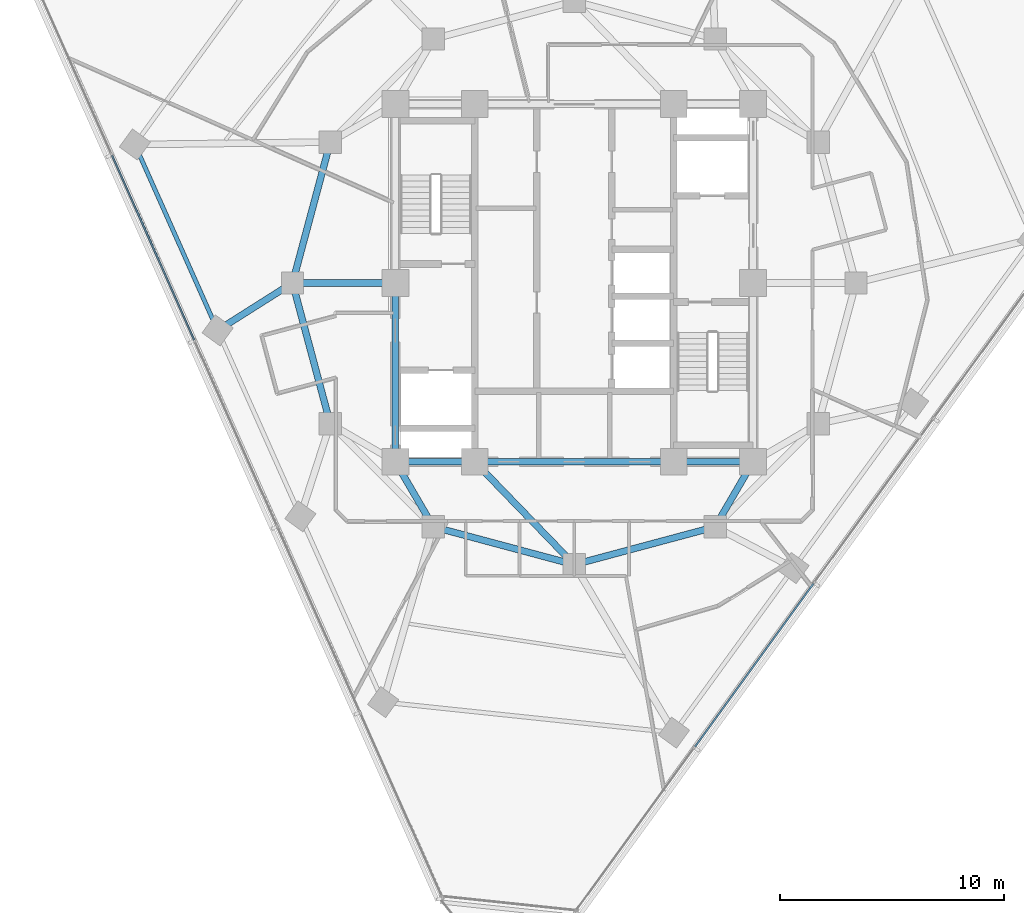
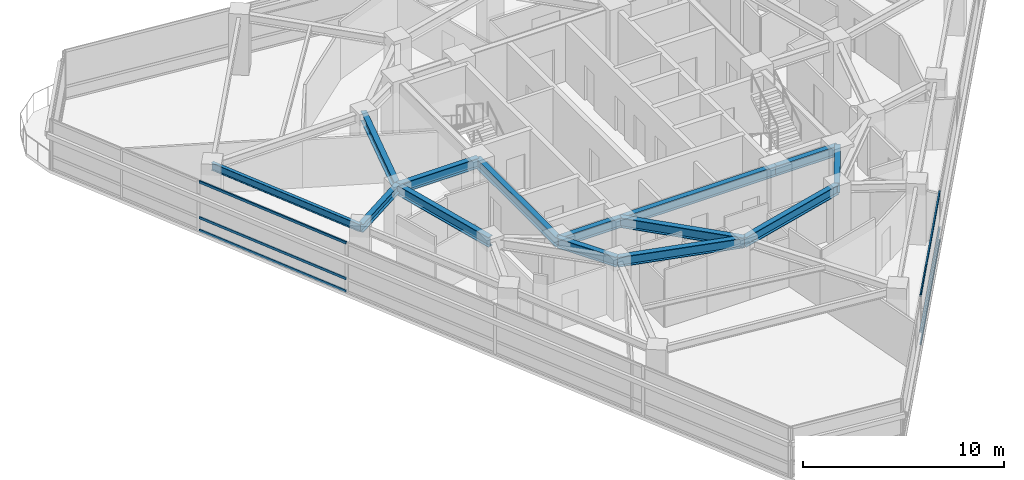
# One storey, part 3 of 15: 14 beams, 6 members, 2 elements without a shape of their own.
"""IFC4 building model written with IfcOpenShell, lengths in metres."""

from ifc_helpers import new_model, si_unit, direction, frame, origin, origin_2d, place, context, subcontext, project, spatial, rectangle, i_section, extrude, material, layer, layer_set, material_profile, profile_set, type_object, element, aggregate, save


model = new_model("IFC4")

# Units and contexts
model_context = context("Model", 3, precision=1e-05, world=origin(), true_north=direction((0.0, 1.0)))
body_context = subcontext(model_context, "Body", "Model", "MODEL_VIEW")
ifc_project = project(units=[si_unit("LENGTHUNIT", "METRE"), si_unit("AREAUNIT", "SQUARE_METRE"), si_unit("VOLUMEUNIT", "CUBIC_METRE"), si_unit("PLANEANGLEUNIT", "RADIAN"), si_unit("MASSUNIT", "GRAM", prefix="KILO")], contexts=[model_context])

# Site, building, storey
site_placement = place(None, origin())
site = spatial("IfcSite", under=ifc_project, at=site_placement, CompositionType="ELEMENT")
building_placement = place(site_placement, origin())
building = spatial("IfcBuilding", under=site, at=building_placement, Name="Terralouvre Media Tower", CompositionType="ELEMENT")
storey_placement = place(building_placement, frame((0.0, 0.0, 233.699951171875)))
storey = spatial("IfcBuildingStorey", under=building, at=storey_placement, Name="L60", CompositionType="ELEMENT", Elevation=233.699951171875)

# Curtain wall, members
ifc_material_1 = material(Name="Low-iron laminated double glazing with solar-control coating", Category="glass")
ifc_layer = layer(ifc_material_1, 0.1650390625, Name="Upper Executive Tower Curtain Wall CW-05")
ifc_layer_set = layer_set([ifc_layer], Name="Low-iron laminated double glazing with solar-control coating")
curtain_wall_type = type_object("IfcCurtainWallType", Name="Upper Executive Tower Curtain Wall CW-05", PredefinedType="NOTDEFINED", material=ifc_layer_set)
curtain_wall_1_placement = place(storey_placement, origin())
curtain_wall_1 = element("IfcCurtainWall", 1, at=curtain_wall_1_placement, inside=storey, type_object=curtain_wall_type, Name="L60 Facade Curtain Wall F0", PredefinedType="NOTDEFINED")
ifc_material_2 = material(Name="Anodised extruded aluminium 6063-T6", Category="aluminium")
ifc_material_profile_1 = material_profile(ifc_material_2, rectangle(XDim=0.074951171875, YDim=0.14990234375, at=origin_2d()), Name="ALU 75x150")
ifc_profile_set_1 = profile_set([ifc_material_profile_1], Name="Anodised extruded aluminium 6063-T6")
member_type = type_object("IfcMemberType", Name="Curtain-Wall Horizontal Transom TR-150", PredefinedType="USERDEFINED", material=ifc_profile_set_1)
member_1_placement = place(storey_placement, frame((5.39990234375, -20.749267578125, 0.03759765625), z_axis=(0.587772727709, 0.809026093869, 0.0), x_axis=(-0.809026093869, 0.587772727709, 0.0)))
member_1 = element("IfcMember", 2, at=member_1_placement, type_object=member_type, Name="CW-05 transom 2.1", ObjectType="TRANSOM", PredefinedType="USERDEFINED", context=body_context, shape_type="SweptSolid", body=[
    extrude(rectangle(XDim=0.074951171875, YDim=0.14990234375, at=origin_2d()), origin(), (0.0, 0.0, 1.0), 9.025146484375),
])
member_2_placement = place(storey_placement, frame((5.39990234375, -20.749267578125, 0.800048828125), z_axis=(0.587772727709, 0.809026093869, 0.0), x_axis=(-0.809026093869, 0.587772727709, 0.0)))
member_2 = element("IfcMember", 3, at=member_2_placement, type_object=member_type, Name="CW-05 transom 2.2", ObjectType="TRANSOM", PredefinedType="USERDEFINED", context=body_context, shape_type="SweptSolid", body=[
    extrude(rectangle(XDim=0.074951171875, YDim=0.14990234375, at=origin_2d()), origin(), (0.0, 0.0, 1.0), 9.025146484375),
])
member_3_placement = place(storey_placement, frame((5.39990234375, -20.749267578125, 2.962646484375), z_axis=(0.587772727709, 0.809026093869, 0.0), x_axis=(-0.809026093869, 0.587772727709, 0.0)))
member_3 = element("IfcMember", 4, at=member_3_placement, type_object=member_type, Name="CW-05 transom 2.3", ObjectType="TRANSOM", PredefinedType="USERDEFINED", context=body_context, shape_type="SweptSolid", body=[
    extrude(rectangle(XDim=0.074951171875, YDim=0.14990234375, at=origin_2d()), origin(), (0.0, 0.0, 1.0), 9.025146484375),
])
aggregate(curtain_wall_1, [member_1, member_2, member_3])

curtain_wall_2_placement = place(storey_placement, origin())
curtain_wall_2 = element("IfcCurtainWall", 5, at=curtain_wall_2_placement, inside=storey, type_object=curtain_wall_type, Name="L60 Facade Curtain Wall F2", PredefinedType="NOTDEFINED")
member_4_placement = place(storey_placement, frame((-20.66943359375, 5.6982421875, 0.03759765625), z_axis=(0.406740753437, -0.913543627581, 0.0), x_axis=(0.913543627581, 0.406740753437, 0.0)))
member_4 = element("IfcMember", 6, at=member_4_placement, type_object=member_type, Name="CW-05 transom 2.1", ObjectType="TRANSOM", PredefinedType="USERDEFINED", context=body_context, shape_type="SweptSolid", body=[
    extrude(rectangle(XDim=0.074951171875, YDim=0.14990234375, at=origin_2d()), origin(), (0.0, 0.0, 1.0), 9.025146484375),
])
member_5_placement = place(storey_placement, frame((-20.66943359375, 5.6982421875, 0.800048828125), z_axis=(0.406740753437, -0.913543627581, 0.0), x_axis=(0.913543627581, 0.406740753437, 0.0)))
member_5 = element("IfcMember", 7, at=member_5_placement, type_object=member_type, Name="CW-05 transom 2.2", ObjectType="TRANSOM", PredefinedType="USERDEFINED", context=body_context, shape_type="SweptSolid", body=[
    extrude(rectangle(XDim=0.074951171875, YDim=0.14990234375, at=origin_2d()), origin(), (0.0, 0.0, 1.0), 9.025146484375),
])
member_6_placement = place(storey_placement, frame((-20.66943359375, 5.6982421875, 2.962646484375), z_axis=(0.406740753437, -0.913543627581, 0.0), x_axis=(0.913543627581, 0.406740753437, 0.0)))
member_6 = element("IfcMember", 8, at=member_6_placement, type_object=member_type, Name="CW-05 transom 2.3", ObjectType="TRANSOM", PredefinedType="USERDEFINED", context=body_context, shape_type="SweptSolid", body=[
    extrude(rectangle(XDim=0.074951171875, YDim=0.14990234375, at=origin_2d()), origin(), (0.0, 0.0, 1.0), 9.025146484375),
])
aggregate(curtain_wall_2, [member_4, member_5, member_6])

# Beams
ifc_material_3 = material(Name="Structural steel S355J2", Category="steel")
ifc_material_profile_2 = material_profile(ifc_material_3, i_section(OverallWidth=0.18994140625, OverallDepth=0.449951171875, WebThickness=0.009521484375, FlangeThickness=0.0146484375, at=origin_2d()), Name="IPE 450")
ifc_profile_set_2 = profile_set([ifc_material_profile_2], Name="Structural steel S355J2")
beam_type_1 = type_object("IfcBeamType", Name="Perimeter Spandrel Beam SPB-450 (IPE 450)", PredefinedType="SPANDREL", material=ifc_profile_set_2)
beam_1_placement = place(storey_placement, frame((-19.65234375, 6.192138671875, 3.275146484375), z_axis=(0.406738273219, -0.913544731854, 0.0), x_axis=(0.913544731854, 0.406738273219, 0.0)))
element("IfcBeam", 9, at=beam_1_placement, inside=storey, type_object=beam_type_1, Name="L60 Framing Beam BM-L60-PR12", PredefinedType="SPANDREL", context=body_context, shape_type="SweptSolid", body=[
    extrude(i_section(OverallWidth=0.18994140625, OverallDepth=0.449951171875, WebThickness=0.009521484375, FlangeThickness=0.0146484375, at=origin_2d()), origin(), (0.0, 0.0, 1.0), 9.100341796875),
])
ifc_material_4 = material(Name="Structural steel S355J2", Category="steel")
ifc_material_profile_3 = material_profile(ifc_material_4, i_section(OverallWidth=0.300048828125, OverallDepth=0.5, WebThickness=0.014404296875, FlangeThickness=0.028076171875, at=origin_2d()), Name="HEB 500")
ifc_profile_set_3 = profile_set([ifc_material_profile_3], Name="Structural steel S355J2")
beam_type_2 = type_object("IfcBeamType", Name="Primary Floor Girder B-HEB500 (HEB 500)", PredefinedType="BEAM", material=ifc_profile_set_3)
beam_2_placement = place(storey_placement, frame((-12.60009765625, 0.0, 3.25), z_axis=(-0.844916454891, -0.534898293373, 0.0), x_axis=(0.534898293373, -0.844916454891, 0.0)))
element("IfcBeam", 10, at=beam_2_placement, inside=storey, type_object=beam_type_2, Name="L60 Framing Beam BM-L60-RD01", PredefinedType="BEAM", context=body_context, shape_type="SweptSolid", body=[
    extrude(i_section(OverallWidth=0.300048828125, OverallDepth=0.5, WebThickness=0.014404296875, FlangeThickness=0.028076171875, at=origin_2d()), origin(), (0.0, 0.0, 1.0), 3.9658203125),
])
ifc_material_5 = material(Name="Structural steel S460M", Category="steel")
ifc_material_profile_4 = material_profile(ifc_material_5, i_section(OverallWidth=0.300048828125, OverallDepth=0.60009765625, WebThickness=0.015380859375, FlangeThickness=0.030029296875, at=origin_2d()), Name="HEB 600")
ifc_profile_set_4 = profile_set([ifc_material_profile_4], Name="Structural steel S460M")
beam_type_3 = type_object("IfcBeamType", Name="Primary Floor Girder B-HEB600 (HEB 600)", PredefinedType="BEAM", material=ifc_profile_set_4)
beam_3_placement = place(storey_placement, frame((-8.0, -8.0, 3.199951171875), z_axis=(1.0, 0.0, 0.0), x_axis=(0.0, 1.0, 0.0)))
element("IfcBeam", 11, at=beam_3_placement, inside=storey, type_object=beam_type_3, Name="L60 Framing Beam BM-L60-CPR01", PredefinedType="BEAM", context=body_context, shape_type="SweptSolid", body=[
    extrude(i_section(OverallWidth=0.300048828125, OverallDepth=0.60009765625, WebThickness=0.015380859375, FlangeThickness=0.030029296875, at=origin_2d()), origin(), (0.0, 0.0, 1.0), 3.550048828125),
])
beam_4_placement = place(storey_placement, frame((-4.449951171875, -8.0, 3.199951171875), z_axis=(1.0, 0.0, 0.0), x_axis=(0.0, 1.0, 0.0)))
element("IfcBeam", 12, at=beam_4_placement, inside=storey, type_object=beam_type_3, Name="L60 Framing Beam BM-L60-CPR02", PredefinedType="BEAM", context=body_context, shape_type="SweptSolid", body=[
    extrude(i_section(OverallWidth=0.300048828125, OverallDepth=0.60009765625, WebThickness=0.015380859375, FlangeThickness=0.030029296875, at=origin_2d()), origin(), (0.0, 0.0, 1.0), 8.89990234375),
])
beam_5_placement = place(storey_placement, frame((4.449951171875, -8.0, 3.199951171875), z_axis=(1.0, 0.0, 0.0), x_axis=(0.0, 1.0, 0.0)))
element("IfcBeam", 13, at=beam_5_placement, inside=storey, type_object=beam_type_3, Name="L60 Framing Beam BM-L60-CPR03", PredefinedType="BEAM", context=body_context, shape_type="SweptSolid", body=[
    extrude(i_section(OverallWidth=0.300048828125, OverallDepth=0.60009765625, WebThickness=0.015380859375, FlangeThickness=0.030029296875, at=origin_2d()), origin(), (0.0, 0.0, 1.0), 3.550048828125),
])
beam_6_placement = place(storey_placement, frame((-8.0, 0.0, 3.199951171875), z_axis=(0.0, -1.0, 0.0), x_axis=(1.0, 0.0, 0.0)))
element("IfcBeam", 14, at=beam_6_placement, inside=storey, type_object=beam_type_3, Name="L60 Framing Beam BM-L60-CPR10", PredefinedType="BEAM", context=body_context, shape_type="SweptSolid", body=[
    extrude(i_section(OverallWidth=0.300048828125, OverallDepth=0.60009765625, WebThickness=0.015380859375, FlangeThickness=0.030029296875, at=origin_2d()), origin(), (0.0, 0.0, 1.0), 8.0),
])
for number, where, z_axis, x_axis, name in (
    (15, (-6.300048828125, -10.911865234375, 3.199951171875), (0.965920481897, -0.258838989821, 0.0), (0.258838989821, 0.965920481897, 0.0), "L60 Framing Beam BM-L60-MR02"),
    (16, (0.0, -12.60009765625, 3.199951171875), (0.965920481897, 0.258838989821, 0.0), (-0.258838989821, 0.965920481897, 0.0), "L60 Framing Beam BM-L60-MR03"),
    (17, (-10.911865234375, 6.300048828125, 3.199951171875), (-0.258838989821, -0.965920481897, 0.0), (0.965920481897, -0.258838989821, 0.0), "L60 Framing Beam BM-L60-MR11"),
    (18, (-12.60009765625, 0.0, 3.199951171875), (0.258838989821, -0.965920481897, 0.0), (0.965920481897, 0.258838989821, 0.0), "L60 Framing Beam BM-L60-MR12"),
):
    element("IfcBeam", number, at=place(storey_placement, frame(where, z_axis=z_axis, x_axis=x_axis)), inside=storey, type_object=beam_type_3, Name=name, PredefinedType="BEAM", context=body_context, shape_type="SweptSolid", body=[
        extrude(i_section(OverallWidth=0.300048828125, OverallDepth=0.60009765625, WebThickness=0.015380859375, FlangeThickness=0.030029296875, at=origin_2d()), origin(), (0.0, 0.0, 1.0), 6.522216796875),
    ])
beam_7_placement = place(storey_placement, frame((-8.0, -8.0, 3.199951171875), z_axis=(0.504172629717, -0.863602894532, 0.0), x_axis=(0.863602894532, 0.504172629717, 0.0)))
element("IfcBeam", 19, at=beam_7_placement, inside=storey, type_object=beam_type_3, Name="L60 Framing Beam BM-L60-CM02", PredefinedType="BEAM", context=body_context, shape_type="SweptSolid", body=[
    extrude(i_section(OverallWidth=0.300048828125, OverallDepth=0.60009765625, WebThickness=0.015380859375, FlangeThickness=0.030029296875, at=origin_2d()), origin(), (0.0, 0.0, 1.0), 3.371826171875),
])
beam_8_placement = place(storey_placement, frame((-4.449951171875, -8.0, 3.199951171875), z_axis=(0.695279715726, -0.718739255155, 0.0), x_axis=(0.718739255155, 0.695279715726, 0.0)))
element("IfcBeam", 20, at=beam_8_placement, inside=storey, type_object=beam_type_3, Name="L60 Framing Beam BM-L60-CM03", PredefinedType="BEAM", context=body_context, shape_type="SweptSolid", body=[
    extrude(i_section(OverallWidth=0.300048828125, OverallDepth=0.60009765625, WebThickness=0.015380859375, FlangeThickness=0.030029296875, at=origin_2d()), origin(), (0.0, 0.0, 1.0), 6.400146484375),
])
beam_9_placement = place(storey_placement, frame((8.0, -8.0, 3.199951171875), z_axis=(-0.504172629717, -0.863602894532, 0.0), x_axis=(0.863602894532, -0.504172629717, 0.0)))
element("IfcBeam", 21, at=beam_9_placement, inside=storey, type_object=beam_type_3, Name="L60 Framing Beam BM-L60-CM04", PredefinedType="BEAM", context=body_context, shape_type="SweptSolid", body=[
    extrude(i_section(OverallWidth=0.300048828125, OverallDepth=0.60009765625, WebThickness=0.015380859375, FlangeThickness=0.030029296875, at=origin_2d()), origin(), (0.0, 0.0, 1.0), 3.371826171875),
])
beam_10_placement = place(storey_placement, frame((-8.0, 0.0, 3.199951171875), z_axis=(-1.0, 0.0, 0.0), x_axis=(0.0, -1.0, 0.0)))
element("IfcBeam", 22, at=beam_10_placement, inside=storey, type_object=beam_type_3, Name="L60 Framing Beam BM-L60-CM12", PredefinedType="BEAM", context=body_context, shape_type="SweptSolid", body=[
    extrude(i_section(OverallWidth=0.300048828125, OverallDepth=0.60009765625, WebThickness=0.015380859375, FlangeThickness=0.030029296875, at=origin_2d()), origin(), (0.0, 0.0, 1.0), 4.60009765625),
])

save(model, "model.ifc")
